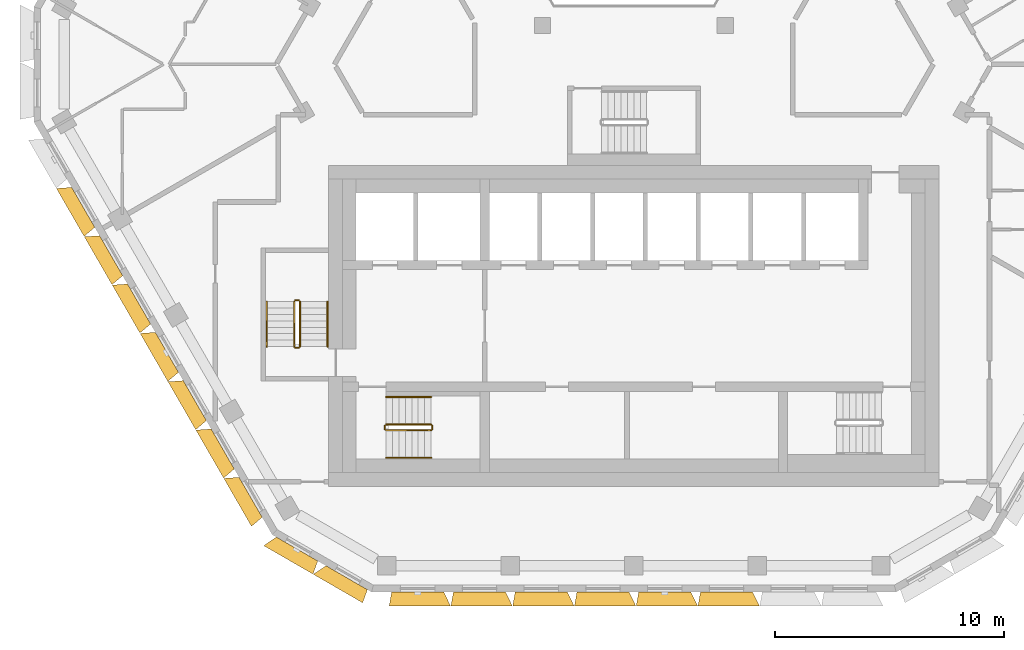
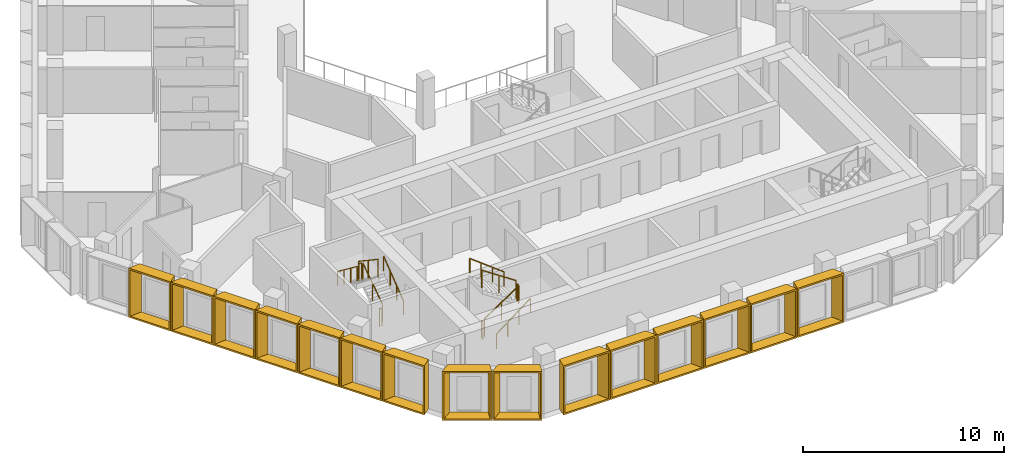
# One storey, part 14 of 18: 15 shading devices, 12 railings.
"""IFC4 building model written with IfcOpenShell, lengths in metres."""

from ifc_helpers import new_model, entity, si_unit, direction, frame, origin, origin_2d, place, context, subcontext, project, spatial, rectangle, extrude, source, transform, mapped, material, type_object, type_shapes, element, save


model = new_model("IFC4")

# Units and contexts
model_context = context("Model", 3, precision=1e-05, world=origin(), true_north=direction((0.0, 1.0)))
body_context = subcontext(model_context, "Body", "Model", "MODEL_VIEW")
ifc_project = project(units=[si_unit("LENGTHUNIT", "METRE"), si_unit("AREAUNIT", "SQUARE_METRE"), si_unit("VOLUMEUNIT", "CUBIC_METRE"), si_unit("PLANEANGLEUNIT", "RADIAN"), si_unit("MASSUNIT", "GRAM", prefix="KILO")], contexts=[model_context])

# Site, building, storey
site_placement = place(None, origin())
site = spatial("IfcSite", under=ifc_project, at=site_placement, CompositionType="ELEMENT")
building_placement = place(site_placement, origin())
building = spatial("IfcBuilding", under=site, at=building_placement, Name="Beryl Residences", CompositionType="ELEMENT")
storey_placement = place(building_placement, frame((0.0, 0.0, 184.199951171875)))
storey = spatial("IfcBuildingStorey", under=building, at=storey_placement, Name="L56", CompositionType="ELEMENT", Elevation=184.199951171875)

# Shading devices
ifc_material_1 = material(Name="Aluminium pale anodised", Category="aluminium")
shading_device_type_1 = type_object("IfcShadingDeviceType", Name="FR243-60B OUTER SKIN frame 600 mm deep, splay 26/10 deg, 2430 x 3000 mm cell", PredefinedType="USERDEFINED", material=ifc_material_1)
cartesian_point_1 = entity("IfcCartesianPoint", [-1.005615234375, 0.0])
cartesian_point_2 = entity("IfcCartesianPoint", [-0.91650390625, 0.10009765625])
cartesian_point_3 = entity("IfcCartesianPoint", [-1.298095703125, 0.0])
cartesian_point_4 = entity("IfcCartesianPoint", [-1.209228515625, 0.10009765625])
shared_shape_1 = source(origin(), body_context, "Body", "SweptSolid", [
    entity("IfcExtrudedAreaSolidTapered", entity("IfcArbitraryProfileDefWithVoids", "AREA", None, entity("IfcPolyline", [cartesian_point_1, entity("IfcCartesianPoint", [1.005615234375, 0.0]), entity("IfcCartesianPoint", [1.005615234375, 3.0]), entity("IfcCartesianPoint", [-1.005615234375, 3.0]), cartesian_point_1]), [entity("IfcPolyline", [cartesian_point_2, entity("IfcCartesianPoint", [0.92431640625, 0.10009765625]), entity("IfcCartesianPoint", [0.92431640625, 2.89990234375]), entity("IfcCartesianPoint", [-0.91650390625, 2.89990234375]), cartesian_point_2])]), entity("IfcAxis2Placement3D", entity("IfcCartesianPoint", [0.0, 0.0, 0.0]), entity("IfcDirection", [0.0, 1.0, 0.0]), entity("IfcDirection", [-1.0, 0.0, 0.0])), entity("IfcDirection", [0.0, 0.0, 1.0]), 0.60009765625, entity("IfcArbitraryProfileDefWithVoids", "AREA", None, entity("IfcPolyline", [cartesian_point_3, entity("IfcCartesianPoint", [1.111328125, 0.0]), entity("IfcCartesianPoint", [1.111328125, 3.0]), entity("IfcCartesianPoint", [-1.298095703125, 3.0]), cartesian_point_3]), [entity("IfcPolyline", [cartesian_point_4, entity("IfcCartesianPoint", [1.030029296875, 0.10009765625]), entity("IfcCartesianPoint", [1.030029296875, 2.89990234375]), entity("IfcCartesianPoint", [-1.209228515625, 2.89990234375]), cartesian_point_4])])),
])
type_shapes(shading_device_type_1, [shared_shape_1])
for number, where, z_axis, x_axis, name in (
    (1, (-23.9970703125, -6.833984375, 0.0), (0.0, 0.0, 1.0), (-0.5, 0.866025403784, 0.0), "FR243-60B frame L56 SW 2"),
    (2, (-22.781005859375, -8.93994140625, 0.0), (0.0, 0.0, 1.0), (-0.5, 0.866025403784, 0.0), "FR243-60B frame L56 SW 3"),
    (3, (-21.56494140625, -11.0458984375, 0.0), (0.0, 0.0, 1.0), (-0.5, 0.866025403784, 0.0), "FR243-60B frame L56 SW 4"),
    (4, (-20.35009765625, -13.152099609375, 0.0), (0.0, 0.0, 1.0), (-0.5, 0.866025403784, 0.0), "FR243-60B frame L56 SW 5"),
    (5, (-19.134033203125, -15.258056640625, 0.0), (0.0, 0.0, 1.0), (-0.5, 0.866025403784, 0.0), "FR243-60B frame L56 SW 6"),
    (6, (-17.91796875, -17.364990234375, 0.0), (0.0, 0.0, 1.0), (-0.5, 0.866025403784, 0.0), "FR243-60B frame L56 SW 7"),
    (7, (-16.701904296875, -19.470947265625, 0.0), (0.0, 0.0, 1.0), (-0.5, 0.866025403784, 0.0), "FR243-60B frame L56 SW 8"),
):
    element("IfcShadingDevice", number, at=place(storey_placement, frame(where, z_axis=z_axis, x_axis=x_axis)), inside=storey, type_object=shading_device_type_1, Name=name, ObjectType="OUTER SKIN", PredefinedType="USERDEFINED", context=body_context, shape_type="MappedRepresentation", body=[
        mapped(shared_shape_1, transform((0.0, 0.0, 0.0))),
    ])
ifc_material_2 = material(Name="Aluminium pale anodised", Category="aluminium")
shading_device_type_2 = type_object("IfcShadingDeviceType", Name="FR250-60B OUTER SKIN frame 600 mm deep, splay 26/10 deg, 2500 x 3000 mm cell", PredefinedType="USERDEFINED", material=ifc_material_2)
cartesian_point_5 = entity("IfcCartesianPoint", [-1.04052734375, 0.0])
cartesian_point_6 = entity("IfcCartesianPoint", [-0.951416015625, 0.10009765625])
cartesian_point_7 = entity("IfcCartesianPoint", [-1.333251953125, 0.0])
cartesian_point_8 = entity("IfcCartesianPoint", [-1.244140625, 0.10009765625])
shared_shape_2 = source(origin(), body_context, "Body", "SweptSolid", [
    entity("IfcExtrudedAreaSolidTapered", entity("IfcArbitraryProfileDefWithVoids", "AREA", None, entity("IfcPolyline", [cartesian_point_5, entity("IfcCartesianPoint", [1.04052734375, 0.0]), entity("IfcCartesianPoint", [1.04052734375, 3.0]), entity("IfcCartesianPoint", [-1.04052734375, 3.0]), cartesian_point_5]), [entity("IfcPolyline", [cartesian_point_6, entity("IfcCartesianPoint", [0.959228515625, 0.10009765625]), entity("IfcCartesianPoint", [0.959228515625, 2.89990234375]), entity("IfcCartesianPoint", [-0.951416015625, 2.89990234375]), cartesian_point_6])]), entity("IfcAxis2Placement3D", entity("IfcCartesianPoint", [0.0, 0.0, 0.0]), entity("IfcDirection", [0.0, 1.0, 0.0]), entity("IfcDirection", [-1.0, 0.0, 0.0])), entity("IfcDirection", [0.0, 0.0, 1.0]), 0.60009765625, entity("IfcArbitraryProfileDefWithVoids", "AREA", None, entity("IfcPolyline", [cartesian_point_7, entity("IfcCartesianPoint", [1.146240234375, 0.0]), entity("IfcCartesianPoint", [1.146240234375, 3.0]), entity("IfcCartesianPoint", [-1.333251953125, 3.0]), cartesian_point_7]), [entity("IfcPolyline", [cartesian_point_8, entity("IfcCartesianPoint", [1.06494140625, 0.10009765625]), entity("IfcCartesianPoint", [1.06494140625, 2.89990234375]), entity("IfcCartesianPoint", [-1.244140625, 2.89990234375]), cartesian_point_8])])),
])
type_shapes(shading_device_type_2, [shared_shape_2])
for number, where, z_axis, x_axis, name in (
    (8, (-14.677978515625, -21.72509765625, 0.0), (0.0, 0.0, 1.0), (-0.866025403784, 0.5, 0.0), "FR250-60B frame L56 SW-S 1"),
    (9, (-12.513916015625, -22.97509765625, 0.0), (0.0, 0.0, 1.0), (-0.866025403784, 0.5, 0.0), "FR250-60B frame L56 SW-S 2"),
):
    element("IfcShadingDevice", number, at=place(storey_placement, frame(where, z_axis=z_axis, x_axis=x_axis)), inside=storey, type_object=shading_device_type_2, Name=name, ObjectType="OUTER SKIN", PredefinedType="USERDEFINED", context=body_context, shape_type="MappedRepresentation", body=[
        mapped(shared_shape_2, transform((0.0, 0.0, 0.0))),
    ])
ifc_material_3 = material(Name="Aluminium pale anodised", Category="aluminium")
shading_device_type_3 = type_object("IfcShadingDeviceType", Name="FR269-60C OUTER SKIN frame 600 mm deep, splay 10/26 deg, 2690 x 3000 mm cell", PredefinedType="USERDEFINED", material=ifc_material_3)
cartesian_point_9 = entity("IfcCartesianPoint", [-1.135498046875, 0.0])
cartesian_point_10 = entity("IfcCartesianPoint", [-1.05419921875, 0.10009765625])
cartesian_point_11 = entity("IfcCartesianPoint", [-1.2412109375, 0.0])
cartesian_point_12 = entity("IfcCartesianPoint", [-1.16015625, 0.10009765625])
shared_shape_3 = source(origin(), body_context, "Body", "SweptSolid", [
    entity("IfcExtrudedAreaSolidTapered", entity("IfcArbitraryProfileDefWithVoids", "AREA", None, entity("IfcPolyline", [cartesian_point_9, entity("IfcCartesianPoint", [1.135498046875, 0.0]), entity("IfcCartesianPoint", [1.135498046875, 3.0]), entity("IfcCartesianPoint", [-1.135498046875, 3.0]), cartesian_point_9]), [entity("IfcPolyline", [cartesian_point_10, entity("IfcCartesianPoint", [1.04638671875, 0.10009765625]), entity("IfcCartesianPoint", [1.04638671875, 2.89990234375]), entity("IfcCartesianPoint", [-1.05419921875, 2.89990234375]), cartesian_point_10])]), entity("IfcAxis2Placement3D", entity("IfcCartesianPoint", [0.0, 0.0, 0.0]), entity("IfcDirection", [0.0, 1.0, 0.0]), entity("IfcDirection", [-1.0, 0.0, 0.0])), entity("IfcDirection", [0.0, 0.0, 1.0]), 0.60009765625, entity("IfcArbitraryProfileDefWithVoids", "AREA", None, entity("IfcPolyline", [cartesian_point_11, entity("IfcCartesianPoint", [1.42822265625, 0.0]), entity("IfcCartesianPoint", [1.42822265625, 3.0]), entity("IfcCartesianPoint", [-1.2412109375, 3.0]), cartesian_point_11]), [entity("IfcPolyline", [cartesian_point_12, entity("IfcCartesianPoint", [1.339111328125, 0.10009765625]), entity("IfcCartesianPoint", [1.339111328125, 2.89990234375]), entity("IfcCartesianPoint", [-1.16015625, 2.89990234375]), cartesian_point_12])])),
])
type_shapes(shading_device_type_3, [shared_shape_3])
for number, where, z_axis, x_axis, name in (
    (10, (-9.4208984375, -23.60009765625, 0.0), (0.0, 0.0, 1.0), (-1.0, 0.0, 0.0), "FR269-60C frame L56 S 1"),
    (11, (-6.72900390625, -23.60009765625, 0.0), (0.0, 0.0, 1.0), (-1.0, 0.0, 0.0), "FR269-60C frame L56 S 2"),
    (12, (-4.037109375, -23.60009765625, 0.0), (0.0, 0.0, 1.0), (-1.0, 0.0, 0.0), "FR269-60C frame L56 S 3"),
    (13, (-1.344970703125, -23.60009765625, 0.0), (0.0, 0.0, 1.0), (-1.0, 0.0, 0.0), "FR269-60C frame L56 S 4"),
    (14, (1.346923828125, -23.60009765625, 0.0), (0.0, 0.0, 1.0), (-1.0, 0.0, 0.0), "FR269-60C frame L56 S 5"),
    (15, (4.0390625, -23.60009765625, 0.0), (0.0, 0.0, 1.0), (-1.0, 0.0, 0.0), "FR269-60C frame L56 S 6"),
):
    element("IfcShadingDevice", number, at=place(storey_placement, frame(where, z_axis=z_axis, x_axis=x_axis)), inside=storey, type_object=shading_device_type_3, Name=name, ObjectType="OUTER SKIN", PredefinedType="USERDEFINED", context=body_context, shape_type="MappedRepresentation", body=[
        mapped(shared_shape_3, transform((0.0, 0.0, 0.0))),
    ])

# Railings
ifc_material_4 = material(Name="Stainless steel balustrade with glass infill", Category="steel")
railing_type_1 = type_object("IfcRailingType", Name="SG1 stair guard 1100 mm", PredefinedType="GUARDRAIL", material=ifc_material_4)
railing_1_placement = place(storey_placement, frame((-10.800048828125, -16.550048828125, 0.1875)))
element("IfcRailing", 16, at=railing_1_placement, inside=storey, type_object=railing_type_1, Name="L56 ST-1 stair guard 1", PredefinedType="GUARDRAIL", context=body_context, shape_type="SweptSolid", body=[
    extrude(rectangle(XDim=0.048095703125, YDim=0.048095703125, at=origin_2d()), frame((0.0, 0.0, 1.076171875), z_axis=(0.830902050051, 0.0, 0.556418712142), x_axis=(0.0, 1.0, 0.0)), (0.0, 0.0, 1.0), 2.35888671875),
    extrude(rectangle(XDim=0.0419921875, YDim=0.0419921875, at=origin_2d()), origin(), (0.0, 0.0, 1.0), 1.052001953125),
    extrude(rectangle(XDim=0.0419921875, YDim=0.0419921875, at=origin_2d()), frame((0.97998046875, 0.0, 0.65625)), (0.0, 0.0, 1.0), 1.052001953125),
    extrude(rectangle(XDim=0.0419921875, YDim=0.0419921875, at=origin_2d()), frame((1.9599609375, 0.0, 1.3125)), (0.0, 0.0, 1.0), 1.052001953125),
])
railing_2_placement = place(storey_placement, frame((-8.7900390625, -16.5, 1.5)))
element("IfcRailing", 17, at=railing_2_placement, inside=storey, type_object=railing_type_1, Name="L56 ST-1 stair guard 2", PredefinedType="GUARDRAIL", context=body_context, shape_type="SweptSolid", body=[
    extrude(rectangle(XDim=0.048095703125, YDim=0.048095703125, at=origin_2d()), frame((0.0, 0.0, 1.076171875), z_axis=(0.0, 1.0, 0.0), x_axis=(-1.0, 0.0, 0.0)), (0.0, 0.0, 1.0), 0.14990234375),
    extrude(rectangle(XDim=0.0419921875, YDim=0.0419921875, at=origin_2d()), origin(), (0.0, 0.0, 1.0), 1.052001953125),
    extrude(rectangle(XDim=0.0419921875, YDim=0.0419921875, at=origin_2d()), frame((0.0, 0.14990234375, 0.0)), (0.0, 0.0, 1.0), 1.052001953125),
])
railing_3_placement = place(storey_placement, frame((-8.840087890625, -16.300048828125, 1.6875)))
element("IfcRailing", 18, at=railing_3_placement, inside=storey, type_object=railing_type_1, Name="L56 ST-1 stair guard 3", PredefinedType="GUARDRAIL", context=body_context, shape_type="SweptSolid", body=[
    extrude(rectangle(XDim=0.048095703125, YDim=0.048095703125, at=origin_2d()), frame((0.0, 0.0, 1.076171875), z_axis=(-0.830902050051, 0.0, 0.556418712142), x_axis=(0.0, -1.0, 0.0)), (0.0, 0.0, 1.0), 2.35888671875),
    extrude(rectangle(XDim=0.0419921875, YDim=0.0419921875, at=origin_2d()), origin(), (0.0, 0.0, 1.0), 1.052001953125),
    extrude(rectangle(XDim=0.0419921875, YDim=0.0419921875, at=origin_2d()), frame((-0.97998046875, 0.0, 0.65625)), (0.0, 0.0, 1.0), 1.052001953125),
    extrude(rectangle(XDim=0.0419921875, YDim=0.0419921875, at=origin_2d()), frame((-1.9599609375, 0.0, 1.3125)), (0.0, 0.0, 1.0), 1.052001953125),
])
railing_4_placement = place(storey_placement, frame((-10.85009765625, -16.5, 0.0)))
element("IfcRailing", 19, at=railing_4_placement, inside=storey, type_object=railing_type_1, Name="L56 ST-1 stair guard 4", PredefinedType="GUARDRAIL", context=body_context, shape_type="SweptSolid", body=[
    extrude(rectangle(XDim=0.048095703125, YDim=0.048095703125, at=origin_2d()), frame((0.0, 0.0, 1.076171875), z_axis=(0.0, 1.0, 0.0), x_axis=(-1.0, 0.0, 0.0)), (0.0, 0.0, 1.0), 0.14990234375),
    extrude(rectangle(XDim=0.0419921875, YDim=0.0419921875, at=origin_2d()), origin(), (0.0, 0.0, 1.0), 1.052001953125),
    extrude(rectangle(XDim=0.0419921875, YDim=0.0419921875, at=origin_2d()), frame((0.0, 0.14990234375, 0.0)), (0.0, 0.0, 1.0), 1.052001953125),
])
railing_5_placement = place(storey_placement, frame((-14.550048828125, -12.89990234375, 0.1875)))
element("IfcRailing", 20, at=railing_5_placement, inside=storey, type_object=railing_type_1, Name="L56 ST-2 stair guard 1", PredefinedType="GUARDRAIL", context=body_context, shape_type="SweptSolid", body=[
    extrude(rectangle(XDim=0.048095703125, YDim=0.048095703125, at=origin_2d()), frame((0.0, 0.0, 1.076171875), z_axis=(0.0, 0.830902050051, 0.556418712142), x_axis=(-1.0, 0.0, 0.0)), (0.0, 0.0, 1.0), 2.35888671875),
    extrude(rectangle(XDim=0.0419921875, YDim=0.0419921875, at=origin_2d()), origin(), (0.0, 0.0, 1.0), 1.052001953125),
    extrude(rectangle(XDim=0.0419921875, YDim=0.0419921875, at=origin_2d()), frame((0.0, 0.97998046875, 0.65625)), (0.0, 0.0, 1.0), 1.052001953125),
    extrude(rectangle(XDim=0.0419921875, YDim=0.0419921875, at=origin_2d()), frame((0.0, 1.9599609375, 1.3125)), (0.0, 0.0, 1.0), 1.052001953125),
])
railing_6_placement = place(storey_placement, frame((-14.60009765625, -10.889892578125, 1.5)))
element("IfcRailing", 21, at=railing_6_placement, inside=storey, type_object=railing_type_1, Name="L56 ST-2 stair guard 2", PredefinedType="GUARDRAIL", context=body_context, shape_type="SweptSolid", body=[
    extrude(rectangle(XDim=0.048095703125, YDim=0.048095703125, at=origin_2d()), frame((0.0, 0.0, 1.076171875), z_axis=(-1.0, 0.0, 0.0), x_axis=(0.0, -1.0, 0.0)), (0.0, 0.0, 1.0), 0.14990234375),
    extrude(rectangle(XDim=0.0419921875, YDim=0.0419921875, at=origin_2d()), origin(), (0.0, 0.0, 1.0), 1.052001953125),
    extrude(rectangle(XDim=0.0419921875, YDim=0.0419921875, at=origin_2d()), frame((-0.14990234375, 0.0, 0.0)), (0.0, 0.0, 1.0), 1.052001953125),
])
railing_7_placement = place(storey_placement, frame((-14.800048828125, -10.93994140625, 1.6875)))
element("IfcRailing", 22, at=railing_7_placement, inside=storey, type_object=railing_type_1, Name="L56 ST-2 stair guard 3", PredefinedType="GUARDRAIL", context=body_context, shape_type="SweptSolid", body=[
    extrude(rectangle(XDim=0.048095703125, YDim=0.048095703125, at=origin_2d()), frame((0.0, 0.0, 1.076171875), z_axis=(0.0, -0.830902050051, 0.556418712142), x_axis=(1.0, 0.0, 0.0)), (0.0, 0.0, 1.0), 2.35888671875),
    extrude(rectangle(XDim=0.0419921875, YDim=0.0419921875, at=origin_2d()), origin(), (0.0, 0.0, 1.0), 1.052001953125),
    extrude(rectangle(XDim=0.0419921875, YDim=0.0419921875, at=origin_2d()), frame((0.0, -0.97998046875, 0.65625)), (0.0, 0.0, 1.0), 1.052001953125),
    extrude(rectangle(XDim=0.0419921875, YDim=0.0419921875, at=origin_2d()), frame((0.0, -1.9599609375, 1.3125)), (0.0, 0.0, 1.0), 1.052001953125),
])
railing_8_placement = place(storey_placement, frame((-14.60009765625, -12.949951171875, 0.0)))
element("IfcRailing", 23, at=railing_8_placement, inside=storey, type_object=railing_type_1, Name="L56 ST-2 stair guard 4", PredefinedType="GUARDRAIL", context=body_context, shape_type="SweptSolid", body=[
    extrude(rectangle(XDim=0.048095703125, YDim=0.048095703125, at=origin_2d()), frame((0.0, 0.0, 1.076171875), z_axis=(-1.0, 0.0, 0.0), x_axis=(0.0, -1.0, 0.0)), (0.0, 0.0, 1.0), 0.14990234375),
    extrude(rectangle(XDim=0.0419921875, YDim=0.0419921875, at=origin_2d()), origin(), (0.0, 0.0, 1.0), 1.052001953125),
    extrude(rectangle(XDim=0.0419921875, YDim=0.0419921875, at=origin_2d()), frame((-0.14990234375, 0.0, 0.0)), (0.0, 0.0, 1.0), 1.052001953125),
])
ifc_material_5 = material(Name="Stainless steel handrail", Category="steel")
railing_type_2 = type_object("IfcRailingType", Name="SRL1 stair handrail 900 mm", PredefinedType="HANDRAIL", material=ifc_material_5)
railing_9_placement = place(storey_placement, frame((-10.800048828125, -17.75, 0.1875)))
element("IfcRailing", 24, at=railing_9_placement, inside=storey, type_object=railing_type_2, Name="L56 ST-1 stair handrail 1", PredefinedType="HANDRAIL", context=body_context, shape_type="SweptSolid", body=[
    extrude(rectangle(XDim=0.048095703125, YDim=0.048095703125, at=origin_2d()), frame((0.0, 0.0, 0.8759765625), z_axis=(0.794121922505, 0.0, 0.607758481798), x_axis=(0.0, 1.0, 0.0)), (0.0, 0.0, 1.0), 2.468017578125),
    extrude(rectangle(XDim=0.0419921875, YDim=0.0419921875, at=origin_2d()), origin(), (0.0, 0.0, 1.0), 0.851806640625),
    extrude(rectangle(XDim=0.0419921875, YDim=0.0419921875, at=origin_2d()), frame((0.6533203125, 0.0, 0.5)), (0.0, 0.0, 1.0), 0.851806640625),
    extrude(rectangle(XDim=0.0419921875, YDim=0.0419921875, at=origin_2d()), frame((1.306640625, 0.0, 1.0)), (0.0, 0.0, 1.0), 0.851806640625),
    extrude(rectangle(XDim=0.0419921875, YDim=0.0419921875, at=origin_2d()), frame((1.9599609375, 0.0, 1.5)), (0.0, 0.0, 1.0), 0.851806640625),
])
railing_10_placement = place(storey_placement, frame((-8.840087890625, -15.10009765625, 1.6875)))
element("IfcRailing", 25, at=railing_10_placement, inside=storey, type_object=railing_type_2, Name="L56 ST-1 stair handrail 2", PredefinedType="HANDRAIL", context=body_context, shape_type="SweptSolid", body=[
    extrude(rectangle(XDim=0.048095703125, YDim=0.048095703125, at=origin_2d()), frame((0.0, 0.0, 0.8759765625), z_axis=(-0.794121922505, 0.0, 0.607758481798), x_axis=(0.0, -1.0, 0.0)), (0.0, 0.0, 1.0), 2.468017578125),
    extrude(rectangle(XDim=0.0419921875, YDim=0.0419921875, at=origin_2d()), origin(), (0.0, 0.0, 1.0), 0.851806640625),
    extrude(rectangle(XDim=0.0419921875, YDim=0.0419921875, at=origin_2d()), frame((-0.6533203125, 0.0, 0.5)), (0.0, 0.0, 1.0), 0.851806640625),
    extrude(rectangle(XDim=0.0419921875, YDim=0.0419921875, at=origin_2d()), frame((-1.306640625, 0.0, 1.0)), (0.0, 0.0, 1.0), 0.851806640625),
    extrude(rectangle(XDim=0.0419921875, YDim=0.0419921875, at=origin_2d()), frame((-1.9599609375, 0.0, 1.5)), (0.0, 0.0, 1.0), 0.851806640625),
])
railing_11_placement = place(storey_placement, frame((-13.35009765625, -12.89990234375, 0.1875)))
element("IfcRailing", 26, at=railing_11_placement, inside=storey, type_object=railing_type_2, Name="L56 ST-2 stair handrail 1", PredefinedType="HANDRAIL", context=body_context, shape_type="SweptSolid", body=[
    extrude(rectangle(XDim=0.048095703125, YDim=0.048095703125, at=origin_2d()), frame((0.0, 0.0, 0.8759765625), z_axis=(0.0, 0.794121922505, 0.607758481798), x_axis=(-1.0, 0.0, 0.0)), (0.0, 0.0, 1.0), 2.468017578125),
    extrude(rectangle(XDim=0.0419921875, YDim=0.0419921875, at=origin_2d()), origin(), (0.0, 0.0, 1.0), 0.851806640625),
    extrude(rectangle(XDim=0.0419921875, YDim=0.0419921875, at=origin_2d()), frame((0.0, 0.6533203125, 0.5)), (0.0, 0.0, 1.0), 0.851806640625),
    extrude(rectangle(XDim=0.0419921875, YDim=0.0419921875, at=origin_2d()), frame((0.0, 1.306640625, 1.0)), (0.0, 0.0, 1.0), 0.851806640625),
    extrude(rectangle(XDim=0.0419921875, YDim=0.0419921875, at=origin_2d()), frame((0.0, 1.9599609375, 1.5)), (0.0, 0.0, 1.0), 0.851806640625),
])
railing_12_placement = place(storey_placement, frame((-16.0, -10.93994140625, 1.6875)))
element("IfcRailing", 27, at=railing_12_placement, inside=storey, type_object=railing_type_2, Name="L56 ST-2 stair handrail 2", PredefinedType="HANDRAIL", context=body_context, shape_type="SweptSolid", body=[
    extrude(rectangle(XDim=0.048095703125, YDim=0.048095703125, at=origin_2d()), frame((0.0, 0.0, 0.8759765625), z_axis=(0.0, -0.794121922505, 0.607758481798), x_axis=(1.0, 0.0, 0.0)), (0.0, 0.0, 1.0), 2.468017578125),
    extrude(rectangle(XDim=0.0419921875, YDim=0.0419921875, at=origin_2d()), origin(), (0.0, 0.0, 1.0), 0.851806640625),
    extrude(rectangle(XDim=0.0419921875, YDim=0.0419921875, at=origin_2d()), frame((0.0, -0.6533203125, 0.5)), (0.0, 0.0, 1.0), 0.851806640625),
    extrude(rectangle(XDim=0.0419921875, YDim=0.0419921875, at=origin_2d()), frame((0.0, -1.306640625, 1.0)), (0.0, 0.0, 1.0), 0.851806640625),
    extrude(rectangle(XDim=0.0419921875, YDim=0.0419921875, at=origin_2d()), frame((0.0, -1.9599609375, 1.5)), (0.0, 0.0, 1.0), 0.851806640625),
])

save(model, "model.ifc")
